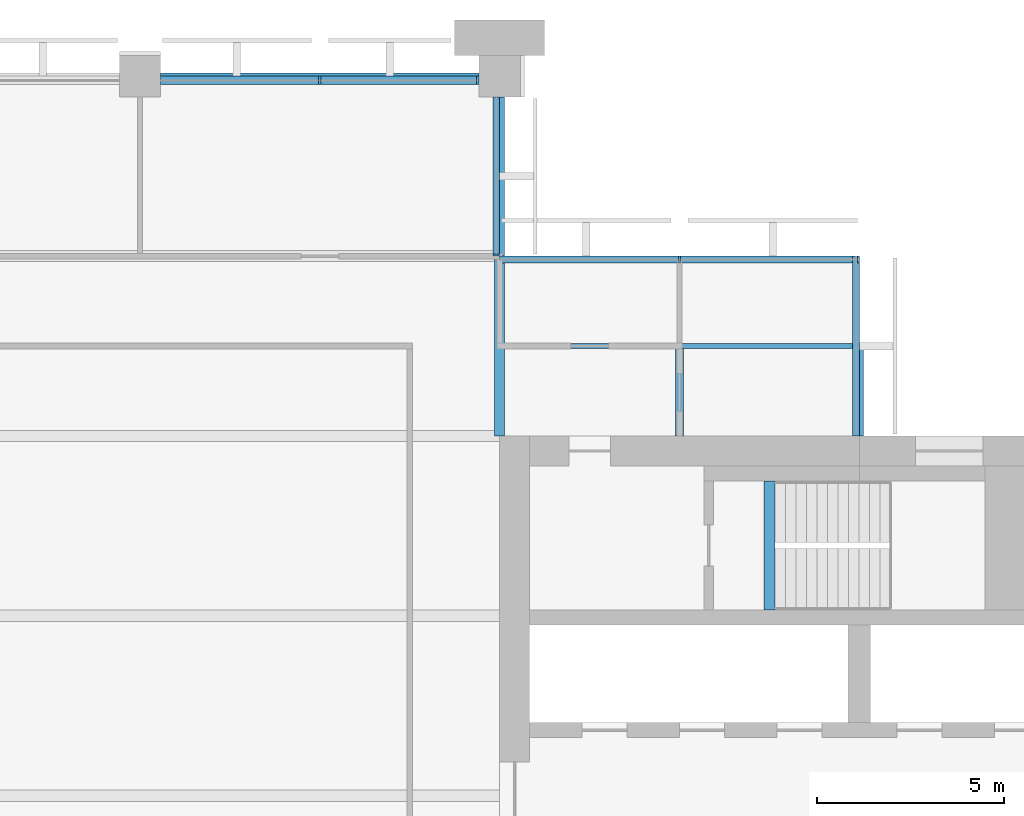
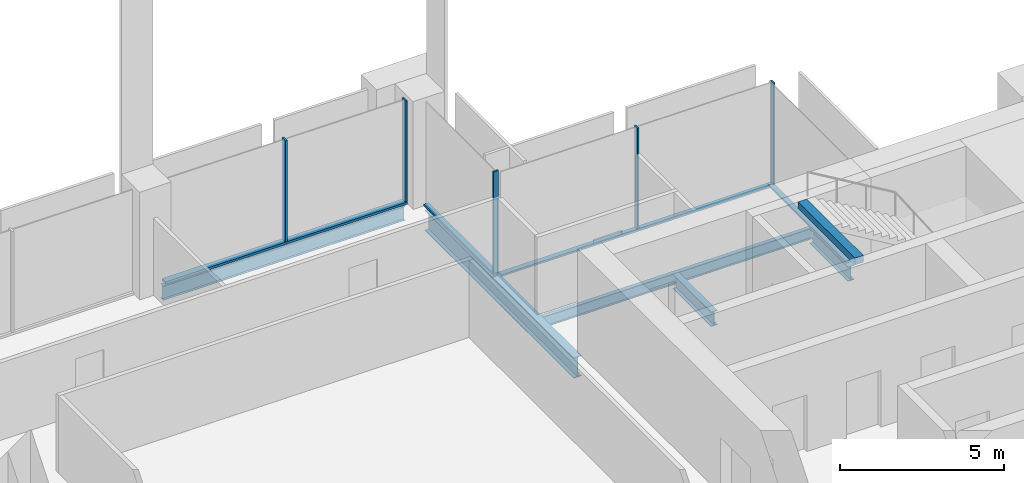
# One storey, part 6 of 13: 9 members, 6 beams, 4 elements without a shape of their own.
"""IFC4 building model written with IfcOpenShell, lengths in metres."""

from ifc_helpers import new_model, si_unit, direction, frame, origin, origin_2d, place, context, subcontext, project, spatial, rectangle, i_section, extrude, material, material_profile, profile_set, type_object, element, aggregate, save


model = new_model("IFC4")

# Units and contexts
model_context = context("Model", 3, precision=1e-05, world=origin(), true_north=direction((0.0, 1.0)))
body_context = subcontext(model_context, "Body", "Model", "MODEL_VIEW")
ifc_project = project(units=[si_unit("LENGTHUNIT", "METRE"), si_unit("AREAUNIT", "SQUARE_METRE"), si_unit("VOLUMEUNIT", "CUBIC_METRE"), si_unit("PLANEANGLEUNIT", "RADIAN"), si_unit("MASSUNIT", "GRAM", prefix="KILO")], contexts=[model_context])

# Site, building, storey
site_placement = place(None, origin())
site = spatial("IfcSite", under=ifc_project, at=site_placement, CompositionType="ELEMENT")
building_placement = place(site_placement, origin())
building = spatial("IfcBuilding", under=site, at=building_placement, Name="Baori Bourse Tower", CompositionType="ELEMENT")
storey_placement = place(building_placement, frame((0.0, 0.0, 249.199951171875)))
storey = spatial("IfcBuildingStorey", under=building, at=storey_placement, Name="L55", CompositionType="ELEMENT", Elevation=249.199951171875)

# Curtain wall, members
ifc_material_1 = material(Name="Pale anodised aluminium", Category="aluminium")
curtain_wall_type_1 = type_object("IfcCurtainWallType", Name="CW2 Curtain wall", PredefinedType="NOTDEFINED", material=ifc_material_1)
curtain_wall_1_placement = place(storey_placement, origin())
curtain_wall_1 = element("IfcCurtainWall", 1, at=curtain_wall_1_placement, inside=storey, type_object=curtain_wall_type_1, Name="Curtain wall CW2 L55 2", PredefinedType="NOTDEFINED")
ifc_material_2 = material(Name="Pale anodised aluminium", Category="aluminium")
ifc_material_profile_1 = material_profile(ifc_material_2, rectangle(XDim=0.179931640625, YDim=0.054931640625, at=origin_2d()), Name="Mullion 55x180")
ifc_profile_set_1 = profile_set([ifc_material_profile_1], Name="Pale anodised aluminium")
member_type_1 = type_object("IfcMemberType", Name="CW2 Curtain wall mullion", PredefinedType="MULLION", material=ifc_profile_set_1)
member_1_placement = place(storey_placement, frame((47.972412109375, 43.110107421875, 0.070068359375), z_axis=(0.0, 0.0, 1.0), x_axis=(0.0, -1.0, 0.0)))
member_1 = element("IfcMember", 2, at=member_1_placement, type_object=member_type_1, Name="Curtain wall CW2 mullion", PredefinedType="MULLION", context=body_context, shape_type="SweptSolid", body=[
    extrude(rectangle(XDim=0.179931640625, YDim=0.054931640625, at=origin_2d()), origin(), (0.0, 0.0, 1.0), 3.77001953125),
])
member_2_placement = place(storey_placement, frame((43.199951171875, 43.110107421875, 0.070068359375), z_axis=(0.0, 0.0, 1.0), x_axis=(0.0, -1.0, 0.0)))
member_2 = element("IfcMember", 3, at=member_2_placement, type_object=member_type_1, Name="Curtain wall CW2 mullion", PredefinedType="MULLION", context=body_context, shape_type="SweptSolid", body=[
    extrude(rectangle(XDim=0.179931640625, YDim=0.054931640625, at=origin_2d()), origin(), (0.0, 0.0, 1.0), 3.77001953125),
])

# Curtain wall, member
curtain_wall_2_placement = place(storey_placement, origin())
curtain_wall_2 = element("IfcCurtainWall", 4, at=curtain_wall_2_placement, inside=storey, type_object=curtain_wall_type_1, Name="Curtain wall CW2 L55 3", PredefinedType="NOTDEFINED")
member_3_placement = place(storey_placement, frame((38.31005859375, 43.2275390625, 0.070068359375), z_axis=(0.0, 0.0, 1.0), x_axis=(-1.0, 0.0, 0.0)))
member_3 = element("IfcMember", 5, at=member_3_placement, type_object=member_type_1, Name="Curtain wall CW2 mullion", PredefinedType="MULLION", context=body_context, shape_type="SweptSolid", body=[
    extrude(rectangle(XDim=0.179931640625, YDim=0.054931640625, at=origin_2d()), origin(), (0.0, 0.0, 1.0), 3.77001953125),
])

curtain_wall_3_placement = place(storey_placement, origin())
curtain_wall_3 = element("IfcCurtainWall", 6, at=curtain_wall_3_placement, inside=storey, type_object=curtain_wall_type_1, Name="Curtain wall CW2 L55 1", PredefinedType="NOTDEFINED")
ifc_material_3 = material(Name="Pale anodised aluminium", Category="aluminium")
ifc_material_profile_2 = material_profile(ifc_material_3, rectangle(XDim=0.179931640625, YDim=0.070068359375, at=origin_2d()), Name="Transom 70x180")
ifc_profile_set_2 = profile_set([ifc_material_profile_2], Name="Pale anodised aluminium")
member_type_2 = type_object("IfcMemberType", Name="CW2 Curtain wall transom", PredefinedType="USERDEFINED", material=ifc_profile_set_2)
member_4_placement = place(storey_placement, frame((47.909912109375, 38.39990234375, 0.03515625), z_axis=(0.0, 1.0, 0.0), x_axis=(-1.0, 0.0, 0.0)))
member_4 = element("IfcMember", 7, at=member_4_placement, type_object=member_type_2, Name="Curtain wall CW2 sill rail", ObjectType="TRANSOM", PredefinedType="USERDEFINED", context=body_context, shape_type="SweptSolid", body=[
    extrude(rectangle(XDim=0.179931640625, YDim=0.070068359375, at=origin_2d()), origin(), (0.0, 0.0, 1.0), 4.800048828125),
])
aggregate(curtain_wall_3, [member_4])

# Member
member_5_placement = place(storey_placement, frame((48.0, 43.110107421875, 0.03515625), z_axis=(-1.0, 0.0, 0.0), x_axis=(0.0, -1.0, 0.0)))
member_5 = element("IfcMember", 8, at=member_5_placement, type_object=member_type_2, Name="Curtain wall CW2 sill rail", ObjectType="TRANSOM", PredefinedType="USERDEFINED", context=body_context, shape_type="SweptSolid", body=[
    extrude(rectangle(XDim=0.179931640625, YDim=0.070068359375, at=origin_2d()), origin(), (0.0, 0.0, 1.0), 9.60009765625),
])

aggregate(curtain_wall_1, [member_5, member_1, member_2])

member_6_placement = place(storey_placement, frame((38.31005859375, 43.199951171875, 0.03515625), z_axis=(0.0, 1.0, 0.0), x_axis=(-1.0, 0.0, 0.0)))
member_6 = element("IfcMember", 9, at=member_6_placement, type_object=member_type_2, Name="Curtain wall CW2 sill rail", ObjectType="TRANSOM", PredefinedType="USERDEFINED", context=body_context, shape_type="SweptSolid", body=[
    extrude(rectangle(XDim=0.179931640625, YDim=0.070068359375, at=origin_2d()), origin(), (0.0, 0.0, 1.0), 4.25),
])

aggregate(curtain_wall_2, [member_6, member_3])

# Curtain wall, members
ifc_material_4 = material(Name="Pale anodised aluminium", Category="aluminium")
curtain_wall_type_2 = type_object("IfcCurtainWallType", Name="CW5 Curtain wall", PredefinedType="NOTDEFINED", material=ifc_material_4)
curtain_wall_4_placement = place(storey_placement, origin())
curtain_wall_4 = element("IfcCurtainWall", 10, at=curtain_wall_4_placement, inside=storey, type_object=curtain_wall_type_2, Name="Curtain wall CW5 L55 4", PredefinedType="NOTDEFINED")
ifc_material_5 = material(Name="Pale anodised aluminium", Category="aluminium")
ifc_material_profile_3 = material_profile(ifc_material_5, rectangle(XDim=0.219970703125, YDim=0.06494140625, at=origin_2d()), Name="Mullion 65x220")
ifc_profile_set_3 = profile_set([ifc_material_profile_3], Name="Pale anodised aluminium")
member_type_3 = type_object("IfcMemberType", Name="CW5 Curtain wall mullion", PredefinedType="MULLION", material=ifc_profile_set_3)
member_7_placement = place(storey_placement, frame((37.8173828125, 47.889892578125, 0.0849609375), z_axis=(0.0, 0.0, 1.0), x_axis=(0.0, -1.0, 0.0)))
member_7 = element("IfcMember", 11, at=member_7_placement, type_object=member_type_3, Name="Curtain wall CW5 mullion", PredefinedType="MULLION", context=body_context, shape_type="SweptSolid", body=[
    extrude(rectangle(XDim=0.219970703125, YDim=0.06494140625, at=origin_2d()), origin(), (0.0, 0.0, 1.0), 3.755126953125),
])
member_8_placement = place(storey_placement, frame((33.60009765625, 47.889892578125, 0.0849609375), z_axis=(0.0, 0.0, 1.0), x_axis=(0.0, -1.0, 0.0)))
member_8 = element("IfcMember", 12, at=member_8_placement, type_object=member_type_3, Name="Curtain wall CW5 mullion", PredefinedType="MULLION", context=body_context, shape_type="SweptSolid", body=[
    extrude(rectangle(XDim=0.219970703125, YDim=0.06494140625, at=origin_2d()), origin(), (0.0, 0.0, 1.0), 3.755126953125),
])
ifc_material_6 = material(Name="Pale anodised aluminium", Category="aluminium")
ifc_material_profile_4 = material_profile(ifc_material_6, rectangle(XDim=0.219970703125, YDim=0.0849609375, at=origin_2d()), Name="Transom 85x220")
ifc_profile_set_4 = profile_set([ifc_material_profile_4], Name="Pale anodised aluminium")
member_type_4 = type_object("IfcMemberType", Name="CW5 Curtain wall transom", PredefinedType="USERDEFINED", material=ifc_profile_set_4)
member_9_placement = place(storey_placement, frame((37.85009765625, 47.889892578125, 0.04248046875), z_axis=(-1.0, 0.0, 0.0), x_axis=(0.0, -1.0, 0.0)))
member_9 = element("IfcMember", 13, at=member_9_placement, type_object=member_type_4, Name="Curtain wall CW5 sill rail", ObjectType="TRANSOM", PredefinedType="USERDEFINED", context=body_context, shape_type="SweptSolid", body=[
    extrude(rectangle(XDim=0.219970703125, YDim=0.0849609375, at=origin_2d()), origin(), (0.0, 0.0, 1.0), 8.5),
])
aggregate(curtain_wall_4, [member_9, member_7, member_8])

# Beams
ifc_material_7 = material(Name="Steel A992 Gr 50", Category="steel")
ifc_material_profile_5 = material_profile(ifc_material_7, i_section(OverallWidth=0.21240234375, OverallDepth=0.54345703125, WebThickness=0.01318359375, FlangeThickness=0.021240234375, at=origin_2d()), Name="W21x83")
ifc_profile_set_5 = profile_set([ifc_material_profile_5], Name="Steel A992 Gr 50")
beam_type_1 = type_object("IfcBeamType", Name="Core bracket W21x83", PredefinedType="BEAM", material=ifc_profile_set_5)
for number, where, z_axis, x_axis, name in (
    (14, (43.199951171875, 38.39990234375, -0.431640625), (0.0, 1.0, 0.0), (-1.0, 0.0, 0.0), "Core bracket L55"),
    (15, (48.0, 38.39990234375, -0.431640625), (0.0, 1.0, 0.0), (-1.0, 0.0, 0.0), "Core bracket L55"),
):
    element("IfcBeam", number, at=place(storey_placement, frame(where, z_axis=z_axis, x_axis=x_axis)), inside=storey, type_object=beam_type_1, Name=name, PredefinedType="BEAM", context=body_context, shape_type="SweptSolid", body=[
        extrude(i_section(OverallWidth=0.21240234375, OverallDepth=0.54345703125, WebThickness=0.01318359375, FlangeThickness=0.021240234375, at=origin_2d()), origin(), (0.0, 0.0, 1.0), 2.329833984375),
    ])
ifc_material_8 = material(Name="Steel A992 Gr 50", Category="steel")
ifc_material_profile_6 = material_profile(ifc_material_8, i_section(OverallWidth=0.1650390625, OverallDepth=0.52587890625, WebThickness=0.0087890625, FlangeThickness=0.011474609375, at=origin_2d()), Name="W21x44")
ifc_profile_set_6 = profile_set([ifc_material_profile_6], Name="Steel A992 Gr 50")
beam_type_2 = type_object("IfcBeamType", Name="Edge beam W21x44", PredefinedType="BEAM", material=ifc_profile_set_6)
beam_1_placement = place(storey_placement, frame((29.35009765625, 48.0, -0.4228515625), z_axis=(1.0, 0.0, 0.0), x_axis=(0.0, 1.0, 0.0)))
element("IfcBeam", 16, at=beam_1_placement, inside=storey, type_object=beam_type_2, Name="Edge beam L55", PredefinedType="BEAM", context=body_context, shape_type="SweptSolid", body=[
    extrude(i_section(OverallWidth=0.1650390625, OverallDepth=0.52587890625, WebThickness=0.0087890625, FlangeThickness=0.011474609375, at=origin_2d()), origin(), (0.0, 0.0, 1.0), 8.5),
])
ifc_material_9 = material(Name="Steel A992 Gr 50", Category="steel")
ifc_material_profile_7 = material_profile(ifc_material_9, i_section(OverallWidth=0.2666015625, OverallDepth=0.76953125, WebThickness=0.015625, FlangeThickness=0.025390625, at=origin_2d()), Name="W30x132")
ifc_profile_set_7 = profile_set([ifc_material_profile_7], Name="Steel A992 Gr 50")
beam_type_3 = type_object("IfcBeamType", Name="Girder W30x132", PredefinedType="BEAM", material=ifc_profile_set_7)
beam_2_placement = place(storey_placement, frame((38.39990234375, 38.39990234375, -0.544677734375), z_axis=(0.0, 1.0, 0.0), x_axis=(-1.0, 0.0, 0.0)))
element("IfcBeam", 17, at=beam_2_placement, inside=storey, type_object=beam_type_3, Name="Girder L55", PredefinedType="BEAM", context=body_context, shape_type="SweptSolid", body=[
    extrude(i_section(OverallWidth=0.2666015625, OverallDepth=0.76953125, WebThickness=0.015625, FlangeThickness=0.025390625, at=origin_2d()), origin(), (0.0, 0.0, 1.0), 9.050048828125),
])
ifc_material_10 = material(Name="Concrete f'c 50 MPa", Category="concrete")
ifc_material_profile_8 = material_profile(ifc_material_10, rectangle(XDim=0.300048828125, YDim=0.25, at=origin_2d()), Name="RC 300x250")
ifc_profile_set_8 = profile_set([ifc_material_profile_8], Name="Concrete f'c 50 MPa")
beam_type_4 = type_object("IfcBeamType", Name="Stair nib beam RC 300x250", PredefinedType="BEAM", material=ifc_profile_set_8)
beam_3_placement = place(storey_placement, frame((45.60009765625, 33.75, 3.715087890625), z_axis=(0.0, 1.0, 0.0), x_axis=(-1.0, 0.0, 0.0)))
element("IfcBeam", 18, at=beam_3_placement, inside=storey, type_object=beam_type_4, Name="Stair EB nib beam L56", PredefinedType="BEAM", context=body_context, shape_type="SweptSolid", body=[
    extrude(rectangle(XDim=0.300048828125, YDim=0.25, at=origin_2d()), origin(), (0.0, 0.0, 1.0), 3.449951171875),
])
ifc_material_11 = material(Name="Steel A992 Gr 50", Category="steel")
ifc_material_profile_9 = material_profile(ifc_material_11, i_section(OverallWidth=0.140380859375, OverallDepth=0.40380859375, WebThickness=0.007080078125, FlangeThickness=0.01123046875, at=origin_2d()), Name="W16x31")
ifc_profile_set_9 = profile_set([ifc_material_profile_9], Name="Steel A992 Gr 50")
beam_type_5 = type_object("IfcBeamType", Name="Trimmer beam W16x31", PredefinedType="BEAM", material=ifc_profile_set_9)
beam_4_placement = place(storey_placement, frame((38.533447265625, 40.800048828125, -0.36181640625), z_axis=(1.0, 0.0, 0.0), x_axis=(0.0, 1.0, 0.0)))
element("IfcBeam", 19, at=beam_4_placement, inside=storey, type_object=beam_type_5, Name="Trimmer beam L55", PredefinedType="BEAM", context=body_context, shape_type="SweptSolid", body=[
    extrude(i_section(OverallWidth=0.140380859375, OverallDepth=0.40380859375, WebThickness=0.007080078125, FlangeThickness=0.01123046875, at=origin_2d()), origin(), (0.0, 0.0, 1.0), 9.466552734375),
])

save(model, "model.ifc")
